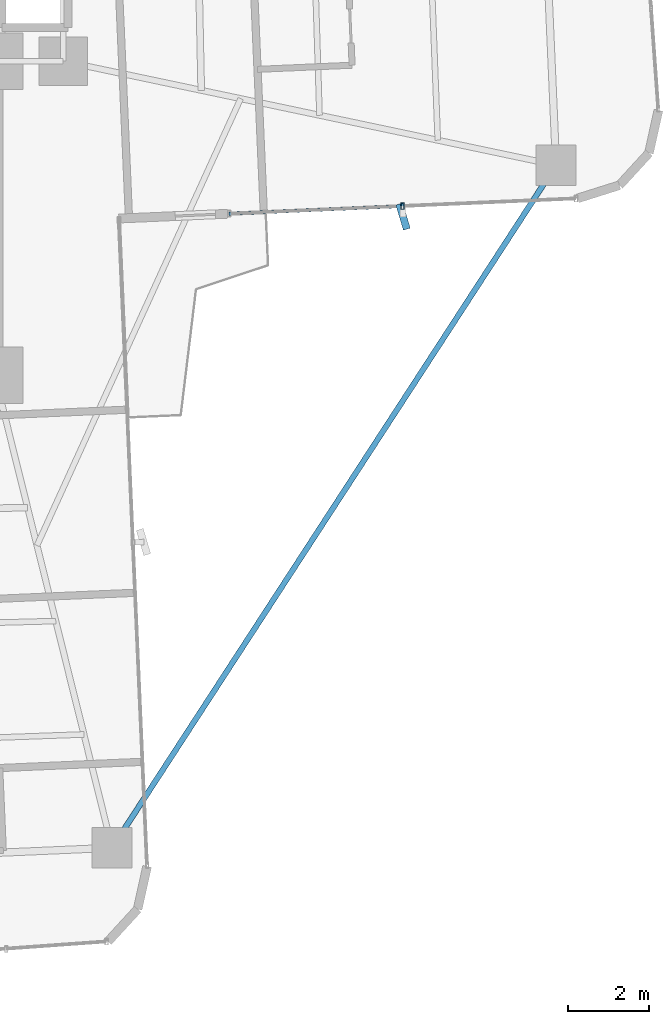
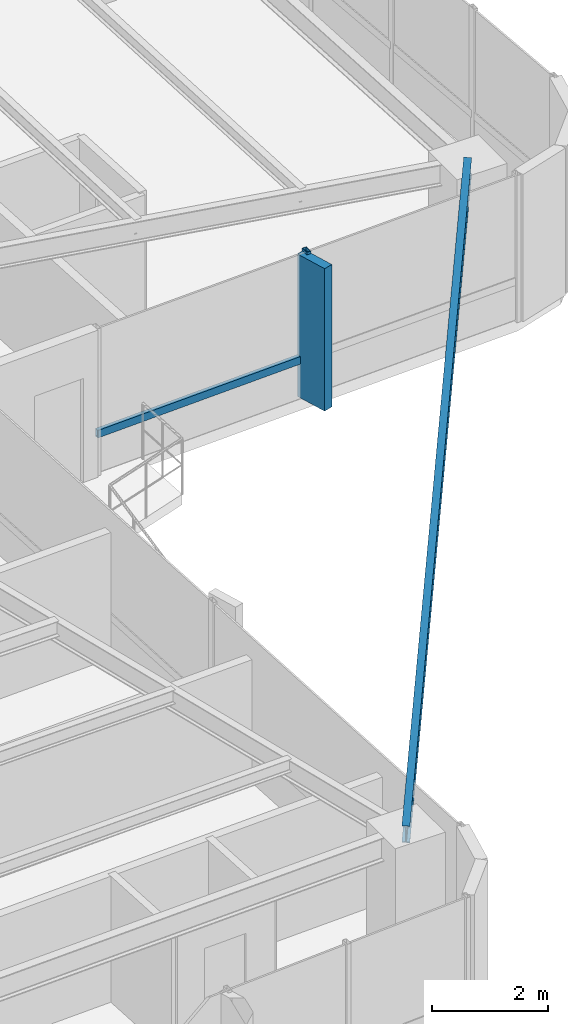
# One storey, part 14 of 26: 3 members, 1 beam, 1 element without a shape of its own.
"""IFC4 building model written with IfcOpenShell, lengths in metres."""

from ifc_helpers import new_model, si_unit, direction, frame, origin, origin_2d, place, context, subcontext, project, spatial, rectangle, hollow_rectangle, i_section, extrude, source, transform, mapped, material, material_profile, profile_set, type_object, element, aggregate, save


model = new_model("IFC4")

# Units and contexts
model_context = context("Model", 3, precision=1e-05, world=origin(), true_north=direction((0.0, 1.0)))
body_context = subcontext(model_context, "Body", "Model", "MODEL_VIEW")
ifc_project = project(units=[si_unit("LENGTHUNIT", "METRE"), si_unit("AREAUNIT", "SQUARE_METRE"), si_unit("VOLUMEUNIT", "CUBIC_METRE"), si_unit("PLANEANGLEUNIT", "RADIAN"), si_unit("MASSUNIT", "GRAM", prefix="KILO")], contexts=[model_context])

# Site, building, storey
site_placement = place(None, origin())
site = spatial("IfcSite", under=ifc_project, at=site_placement, CompositionType="ELEMENT")
building_placement = place(site_placement, origin())
building = spatial("IfcBuilding", under=site, at=building_placement, Name="Sahyath Konkavel Grand Hotel", CompositionType="ELEMENT")
storey_placement = place(building_placement, frame((0.0, 0.0, 111.449951171875)))
storey = spatial("IfcBuildingStorey", under=building, at=storey_placement, Name="L30", CompositionType="ELEMENT", Elevation=111.449951171875)

# Beam
ifc_material_1 = material(Name="Steel E350", Category="steel")
ifc_material_profile_1 = material_profile(ifc_material_1, i_section(OverallWidth=0.139892578125, OverallDepth=0.35009765625, WebThickness=0.008056640625, FlangeThickness=0.01416015625, FilletRadius=0.013916015625, at=origin_2d()), Name="ISMB 350")
ifc_profile_set_1 = profile_set([ifc_material_profile_1], Name="Steel E350")
beam_type = type_object("IfcBeamType", Name="BM-ISMB350", PredefinedType="BEAM", material=ifc_profile_set_1)
shared_shape_1 = source(origin(), body_context, "Body", "SweptSolid", [
    extrude(i_section(OverallWidth=0.139892578125, OverallDepth=0.35009765625, WebThickness=0.008056640625, FlangeThickness=0.01416015625, FilletRadius=0.013916015625, at=origin_2d()), origin(), (0.0, 0.0, 1.0), 20.21533203125),
])
beam_placement = place(storey_placement, frame((17.734130859375, -4.981201171875, 2.93505859375), z_axis=(-0.545191244931, -0.838311700056, 0.0), x_axis=(0.838311700056, -0.545191244931, 0.0)))
element("IfcBeam", 1, at=beam_placement, inside=storey, type_object=beam_type, Name="L30 Re-Entrant Tie Beam SE", PredefinedType="BEAM", context=body_context, shape_type="MappedRepresentation", body=[
    mapped(shared_shape_1, transform((0.0, 0.0, 0.0), scale=1.0)),
])

# Curtain wall, members
ifc_material_2 = material(Name="Anodised Bronze Aluminium & Low-E Glazing", Category="aluminium")
curtain_wall_type = type_object("IfcCurtainWallType", Name="CW-ZONE2", PredefinedType="NOTDEFINED", material=ifc_material_2)
curtain_wall_placement = place(storey_placement, origin())
curtain_wall = element("IfcCurtainWall", 2, at=curtain_wall_placement, inside=storey, type_object=curtain_wall_type, Name="L30 Unitised Curtain Wall F0", PredefinedType="NOTDEFINED")
ifc_material_3 = material(Name="Warm Buff Sandstone Cladding on Concrete C50/60", Category="masonry")
ifc_material_profile_2 = material_profile(ifc_material_3, rectangle(XDim=0.179931640625, YDim=0.64990234375, at=origin_2d()), Name="FIN 180x650")
ifc_profile_set_2 = profile_set([ifc_material_profile_2], Name="Warm Buff Sandstone Cladding on Concrete C50/60")
member_type_1 = type_object("IfcMemberType", Name="FIN-SANDSTONE-650", PredefinedType="MULLION", material=ifc_profile_set_2)
shared_shape_2 = source(origin(), body_context, "Body", "SweptSolid", [
    extrude(rectangle(XDim=0.179931640625, YDim=0.64990234375, at=origin_2d()), origin(), (0.0, 0.0, 1.0), 3.010009765625),
])
member_1_placement = place(storey_placement, frame((13.936279296875, -6.258056640625, 0.050048828125), z_axis=(0.0, 0.0, 1.0), x_axis=(0.958172857028, 0.286190104747, 0.0)))
member_1 = element("IfcMember", 3, at=member_1_placement, type_object=member_type_1, Name="L30 Sandstone Vertical Solar Fin FIN F0-1", PredefinedType="MULLION", context=body_context, shape_type="MappedRepresentation", body=[
    mapped(shared_shape_2, transform((0.0, 0.0, 0.0), scale=1.0)),
])
ifc_material_4 = material(Name="Anodised Bronze Aluminium", Category="aluminium")
ifc_material_profile_3 = material_profile(ifc_material_4, hollow_rectangle(XDim=0.080078125, YDim=0.159912109375, WallThickness=0.006103515625, at=origin_2d()), Name="RHS 160x80x6")
ifc_profile_set_3 = profile_set([ifc_material_profile_3], Name="Anodised Bronze Aluminium")
member_type_2 = type_object("IfcMemberType", Name="CW-MUL-160", PredefinedType="MULLION", material=ifc_profile_set_3)
shared_shape_3 = source(origin(), body_context, "Body", "SweptSolid", [
    extrude(hollow_rectangle(XDim=0.080078125, YDim=0.159912109375, WallThickness=0.006103515625, at=origin_2d()), origin(), (0.0, 0.0, 1.0), 3.110107421875),
])
member_2_placement = place(storey_placement, frame((13.9248046875, -5.998291015625, 0.0), z_axis=(0.0, 0.0, 1.0), x_axis=(1.0, 0.0, 0.0)))
member_2 = element("IfcMember", 4, at=member_2_placement, type_object=member_type_2, Name="L30 Curtain Wall Mullion F0-1", PredefinedType="MULLION", context=body_context, shape_type="MappedRepresentation", body=[
    mapped(shared_shape_3, transform((0.0, 0.0, 0.0), scale=1.0)),
])
ifc_material_profile_4 = material_profile(ifc_material_4, hollow_rectangle(XDim=0.080078125, YDim=0.159912109375, WallThickness=0.006103515625, at=origin_2d()), Name="RHS 160x80x6")
ifc_profile_set_4 = profile_set([ifc_material_profile_4], Name="Anodised Bronze Aluminium")
member_type_3 = type_object("IfcMemberType", Name="CW-TRN-160", PredefinedType="USERDEFINED", material=ifc_profile_set_4)
shared_shape_4 = source(origin(), body_context, "Body", "SweptSolid", [
    extrude(hollow_rectangle(XDim=0.080078125, YDim=0.159912109375, WallThickness=0.006103515625, at=origin_2d()), origin(), (0.0, 0.0, 1.0), 4.31005859375),
])
member_3_placement = place(storey_placement, frame((9.618896484375, -6.186279296875, 0.85009765625), z_axis=(0.999048340188, 0.043616670746, 0.0), x_axis=(-0.043616670746, 0.999048340188, 0.0)))
member_3 = element("IfcMember", 5, at=member_3_placement, type_object=member_type_3, Name="L30 Curtain Wall Transom F0-0-spandrel", ObjectType="TRANSOM", PredefinedType="USERDEFINED", context=body_context, shape_type="MappedRepresentation", body=[
    mapped(shared_shape_4, transform((0.0, 0.0, 0.0), scale=1.0)),
])
aggregate(curtain_wall, [member_2, member_1, member_3])

save(model, "model.ifc")
